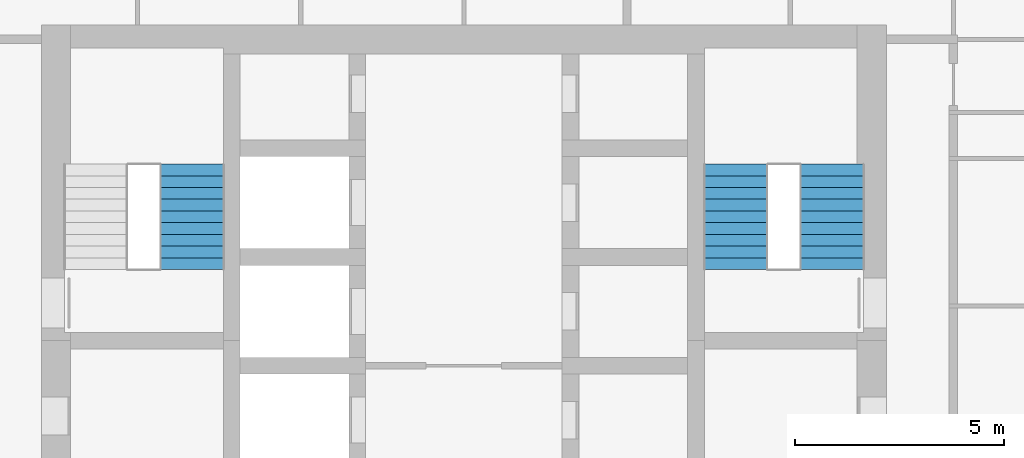
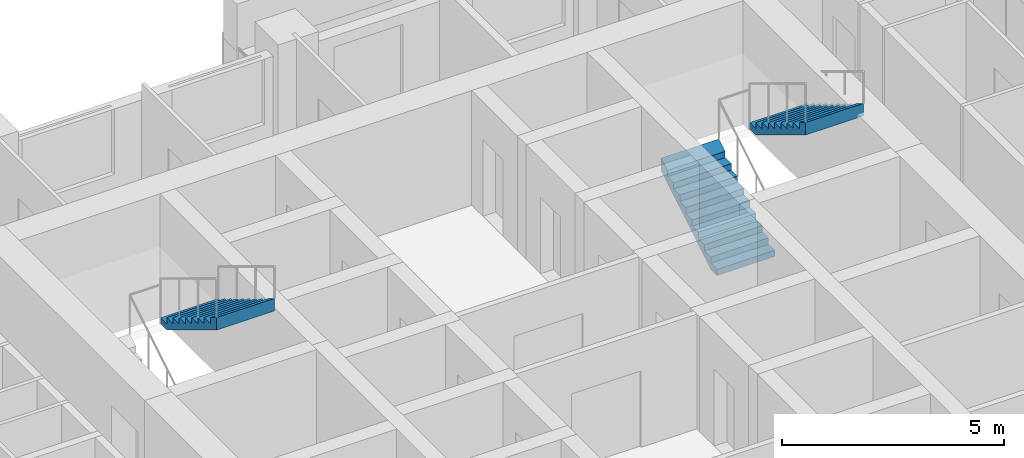
# One storey, part 16 of 18: 3 stair flights, 2 elements without a shape of their own.
"""IFC4 building model written with IfcOpenShell, lengths in metres."""

from ifc_helpers import new_model, si_unit, direction, frame, origin, place, context, subcontext, project, spatial, triangles, material, type_object, element, aggregate, save


model = new_model("IFC4")

# Units and contexts
model_context = context("Model", 3, precision=1e-05, world=origin(), true_north=direction((0.0, 1.0)))
body_context = subcontext(model_context, "Body", "Model", "MODEL_VIEW")
ifc_project = project(units=[si_unit("LENGTHUNIT", "METRE"), si_unit("AREAUNIT", "SQUARE_METRE"), si_unit("VOLUMEUNIT", "CUBIC_METRE"), si_unit("PLANEANGLEUNIT", "RADIAN"), si_unit("MASSUNIT", "GRAM", prefix="KILO")], contexts=[model_context])

# Site, building, storey
site_placement = place(None, origin())
site = spatial("IfcSite", under=ifc_project, at=site_placement, CompositionType="ELEMENT")
building_placement = place(site_placement, origin())
building = spatial("IfcBuilding", under=site, at=building_placement, Name="Ludao Terraces", CompositionType="ELEMENT")
storey_placement = place(building_placement, frame((0.0, 0.0, 33.10009765625)))
storey = spatial("IfcBuildingStorey", under=building, at=storey_placement, Name="L08", CompositionType="ELEMENT", Elevation=33.10009765625)

# Stair, stair flight
ifc_material = material(Name="Concrete C40", Category="concrete")
stair_type = type_object("IfcStairType", Name="INT Stair", PredefinedType="HALF_TURN_STAIR", material=ifc_material)
stair_1_placement = place(storey_placement, origin())
stair_1 = element("IfcStair", 1, at=stair_1_placement, inside=storey, type_object=stair_type, Name="EXIT STAIR 1", PredefinedType="HALF_TURN_STAIR")
stair_flight_type = type_object("IfcStairFlightType", Name="INT Stair flight", PredefinedType="STRAIGHT", material=ifc_material)
stair_flight_1_placement = place(storey_placement, frame((78.5, 81.52001953125, 1.699951171875), z_axis=(0.0, 0.0, 1.0), x_axis=(0.0, -1.0, 0.0)))
stair_flight_1 = element("IfcStairFlight", 2, at=stair_flight_1_placement, type_object=stair_flight_type, Name="ST1 flight 2", NumberOfRisers=10, NumberOfTreads=9, PredefinedType="STRAIGHT", RiserHeight=0.17, TreadLength=0.28, context=body_context, shape_type="Tessellation", body=[
    triangles([(0.0, -0.75, 0.0), (0.0, -0.5, 0.0), (0.0, -0.25, 0.0), (0.0, 0.0, 0.0), (0.0, 0.25, 0.0), (0.0, 0.5, 0.0), (0.0, 0.75, 0.0), (0.0, -0.75, 0.169921875), (0.0, -0.5, 0.169921875), (0.0, -0.25, 0.169921875), (0.0, 0.0, 0.169921875), (0.0, 0.25, 0.169921875), (0.0, 0.5, 0.169921875), (0.0, 0.75, 0.169921875), (0.280029296875, -0.75, 0.169921875), (0.280029296875, -0.5, 0.169921875), (0.280029296875, -0.25, 0.169921875), (0.280029296875, 0.0, 0.169921875), (0.280029296875, 0.25, 0.169921875), (0.280029296875, 0.5, 0.169921875), (0.280029296875, 0.75, 0.169921875), (0.280029296875, -0.75, 0.340087890625), (0.280029296875, -0.5, 0.340087890625), (0.280029296875, -0.25, 0.340087890625), (0.280029296875, 0.0, 0.340087890625), (0.280029296875, 0.25, 0.340087890625), (0.280029296875, 0.5, 0.340087890625), (0.280029296875, 0.75, 0.340087890625), (0.56005859375, -0.75, 0.340087890625), (0.56005859375, -0.5, 0.340087890625), (0.56005859375, -0.25, 0.340087890625), (0.56005859375, 0.0, 0.340087890625), (0.56005859375, 0.25, 0.340087890625), (0.56005859375, 0.5, 0.340087890625), (0.56005859375, 0.75, 0.340087890625), (0.56005859375, -0.75, 0.510009765625), (0.56005859375, -0.5, 0.510009765625), (0.56005859375, -0.25, 0.510009765625), (0.56005859375, 0.0, 0.510009765625), (0.56005859375, 0.25, 0.510009765625), (0.56005859375, 0.5, 0.510009765625), (0.56005859375, 0.75, 0.510009765625), (0.840087890625, -0.75, 0.510009765625), (0.840087890625, -0.5, 0.510009765625), (0.840087890625, -0.25, 0.510009765625), (0.840087890625, 0.0, 0.510009765625), (0.840087890625, 0.25, 0.510009765625), (0.840087890625, 0.5, 0.510009765625), (0.840087890625, 0.75, 0.510009765625), (0.840087890625, -0.75, 0.679931640625), (0.840087890625, -0.5, 0.679931640625), (0.840087890625, -0.25, 0.679931640625), (0.840087890625, 0.0, 0.679931640625), (0.840087890625, 0.25, 0.679931640625), (0.840087890625, 0.5, 0.679931640625), (0.840087890625, 0.75, 0.679931640625), (1.1201171875, -0.75, 0.679931640625), (1.1201171875, -0.5, 0.679931640625), (1.1201171875, -0.25, 0.679931640625), (1.1201171875, 0.0, 0.679931640625), (1.1201171875, 0.25, 0.679931640625), (1.1201171875, 0.5, 0.679931640625), (1.1201171875, 0.75, 0.679931640625), (1.1201171875, -0.75, 0.85009765625), (1.1201171875, -0.5, 0.85009765625), (1.1201171875, -0.25, 0.85009765625), (1.1201171875, 0.0, 0.85009765625), (1.1201171875, 0.25, 0.85009765625), (1.1201171875, 0.5, 0.85009765625), (1.1201171875, 0.75, 0.85009765625), (1.39990234375, -0.75, 0.85009765625), (1.39990234375, -0.5, 0.85009765625), (1.39990234375, -0.25, 0.85009765625), (1.39990234375, 0.0, 0.85009765625), (1.39990234375, 0.25, 0.85009765625), (1.39990234375, 0.5, 0.85009765625), (1.39990234375, 0.75, 0.85009765625), (1.39990234375, -0.75, 1.02001953125), (1.39990234375, -0.5, 1.02001953125), (1.39990234375, -0.25, 1.02001953125), (1.39990234375, 0.0, 1.02001953125), (1.39990234375, 0.25, 1.02001953125), (1.39990234375, 0.5, 1.02001953125), (1.39990234375, 0.75, 1.02001953125), (1.679931640625, -0.75, 1.02001953125), (1.679931640625, -0.5, 1.02001953125), (1.679931640625, -0.25, 1.02001953125), (1.679931640625, 0.0, 1.02001953125), (1.679931640625, 0.25, 1.02001953125), (1.679931640625, 0.5, 1.02001953125), (1.679931640625, 0.75, 1.02001953125), (1.679931640625, -0.75, 1.18994140625), (1.679931640625, -0.5, 1.18994140625), (1.679931640625, -0.25, 1.18994140625), (1.679931640625, 0.0, 1.18994140625), (1.679931640625, 0.25, 1.18994140625), (1.679931640625, 0.5, 1.18994140625), (1.679931640625, 0.75, 1.18994140625), (1.9599609375, -0.75, 1.18994140625), (1.9599609375, -0.5, 1.18994140625), (1.9599609375, -0.25, 1.18994140625), (1.9599609375, 0.0, 1.18994140625), (1.9599609375, 0.25, 1.18994140625), (1.9599609375, 0.5, 1.18994140625), (1.9599609375, 0.75, 1.18994140625), (1.9599609375, -0.75, 1.360107421875), (1.9599609375, -0.5, 1.360107421875), (1.9599609375, -0.25, 1.360107421875), (1.9599609375, 0.0, 1.360107421875), (1.9599609375, 0.25, 1.360107421875), (1.9599609375, 0.5, 1.360107421875), (1.9599609375, 0.75, 1.360107421875), (2.239990234375, -0.75, 1.360107421875), (2.239990234375, -0.5, 1.360107421875), (2.239990234375, -0.25, 1.360107421875), (2.239990234375, 0.0, 1.360107421875), (2.239990234375, 0.25, 1.360107421875), (2.239990234375, 0.5, 1.360107421875), (2.239990234375, 0.75, 1.360107421875), (2.239990234375, -0.75, 1.530029296875), (2.239990234375, -0.5, 1.530029296875), (2.239990234375, -0.25, 1.530029296875), (2.239990234375, 0.0, 1.530029296875), (2.239990234375, 0.25, 1.530029296875), (2.239990234375, 0.5, 1.530029296875), (2.239990234375, 0.75, 1.530029296875), (2.52001953125, -0.75, 1.699951171875), (2.52001953125, -0.5, 1.699951171875), (2.52001953125, -0.25, 1.699951171875), (2.52001953125, 0.0, 1.699951171875), (2.52001953125, 0.25, 1.699951171875), (2.52001953125, 0.5, 1.699951171875), (2.52001953125, 0.75, 1.699951171875), (2.52001953125, -0.75, 1.354736328125), (2.52001953125, -0.5, 1.354736328125), (2.52001953125, -0.25, 1.354736328125), (2.52001953125, 0.0, 1.354736328125), (2.52001953125, 0.25, 1.354736328125), (2.52001953125, 0.5, 1.354736328125), (2.52001953125, 0.75, 1.354736328125), (0.288818359375, -0.75, 0.0), (0.288818359375, -0.5, 0.0), (0.288818359375, -0.25, 0.0), (0.288818359375, 0.0, 0.0), (0.288818359375, 0.25, 0.0), (0.288818359375, 0.5, 0.0), (0.288818359375, 0.75, 0.0)], [[1, 141, 134], [7, 140, 147], [134, 127, 120], [140, 126, 133], [134, 120, 113], [140, 119, 126], [134, 113, 106], [140, 112, 119], [134, 106, 99], [140, 105, 112], [99, 92, 85], [105, 91, 98], [134, 99, 85], [140, 91, 105], [85, 78, 71], [91, 77, 84], [134, 85, 71], [140, 77, 91], [71, 64, 57], [77, 63, 70], [134, 71, 57], [140, 63, 77], [57, 50, 43], [63, 49, 56], [134, 57, 43], [140, 49, 63], [43, 36, 29], [49, 35, 42], [134, 43, 29], [140, 35, 49], [29, 22, 15], [35, 21, 28], [134, 29, 15], [140, 21, 35], [1, 134, 15], [7, 21, 140], [15, 8, 1], [21, 7, 14], [1, 9, 2], [1, 8, 9], [2, 10, 3], [2, 9, 10], [3, 11, 4], [3, 10, 11], [4, 12, 5], [4, 11, 12], [5, 13, 6], [5, 12, 13], [6, 14, 7], [6, 13, 14], [8, 16, 9], [8, 15, 16], [9, 17, 10], [9, 16, 17], [10, 18, 11], [10, 17, 18], [11, 19, 12], [11, 18, 19], [12, 20, 13], [12, 19, 20], [13, 21, 14], [13, 20, 21], [15, 23, 16], [15, 22, 23], [16, 24, 17], [16, 23, 24], [17, 25, 18], [17, 24, 25], [18, 26, 19], [18, 25, 26], [19, 27, 20], [19, 26, 27], [20, 28, 21], [20, 27, 28], [22, 30, 23], [22, 29, 30], [23, 31, 24], [23, 30, 31], [24, 32, 25], [24, 31, 32], [25, 33, 26], [25, 32, 33], [26, 34, 27], [26, 33, 34], [27, 35, 28], [27, 34, 35], [29, 37, 30], [29, 36, 37], [30, 38, 31], [30, 37, 38], [31, 39, 32], [31, 38, 39], [32, 40, 33], [32, 39, 40], [33, 41, 34], [33, 40, 41], [34, 42, 35], [34, 41, 42], [36, 44, 37], [36, 43, 44], [37, 45, 38], [37, 44, 45], [38, 46, 39], [38, 45, 46], [39, 47, 40], [39, 46, 47], [40, 48, 41], [40, 47, 48], [41, 49, 42], [41, 48, 49], [43, 51, 44], [43, 50, 51], [44, 52, 45], [44, 51, 52], [45, 53, 46], [45, 52, 53], [46, 54, 47], [46, 53, 54], [47, 55, 48], [47, 54, 55], [48, 56, 49], [48, 55, 56], [50, 58, 51], [50, 57, 58], [51, 59, 52], [51, 58, 59], [52, 60, 53], [52, 59, 60], [53, 61, 54], [53, 60, 61], [54, 62, 55], [54, 61, 62], [55, 63, 56], [55, 62, 63], [57, 65, 58], [57, 64, 65], [58, 66, 59], [58, 65, 66], [59, 67, 60], [59, 66, 67], [60, 68, 61], [60, 67, 68], [61, 69, 62], [61, 68, 69], [62, 70, 63], [62, 69, 70], [64, 72, 65], [64, 71, 72], [65, 73, 66], [65, 72, 73], [66, 74, 67], [66, 73, 74], [67, 75, 68], [67, 74, 75], [68, 76, 69], [68, 75, 76], [69, 77, 70], [69, 76, 77], [71, 79, 72], [71, 78, 79], [72, 80, 73], [72, 79, 80], [73, 81, 74], [73, 80, 81], [74, 82, 75], [74, 81, 82], [75, 83, 76], [75, 82, 83], [76, 84, 77], [76, 83, 84], [78, 86, 79], [78, 85, 86], [79, 87, 80], [79, 86, 87], [80, 88, 81], [80, 87, 88], [81, 89, 82], [81, 88, 89], [82, 90, 83], [82, 89, 90], [83, 91, 84], [83, 90, 91], [85, 93, 86], [85, 92, 93], [86, 94, 87], [86, 93, 94], [87, 95, 88], [87, 94, 95], [88, 96, 89], [88, 95, 96], [89, 97, 90], [89, 96, 97], [90, 98, 91], [90, 97, 98], [92, 100, 93], [92, 99, 100], [93, 101, 94], [93, 100, 101], [94, 102, 95], [94, 101, 102], [95, 103, 96], [95, 102, 103], [96, 104, 97], [96, 103, 104], [97, 105, 98], [97, 104, 105], [99, 107, 100], [99, 106, 107], [100, 108, 101], [100, 107, 108], [101, 109, 102], [101, 108, 109], [102, 110, 103], [102, 109, 110], [103, 111, 104], [103, 110, 111], [104, 112, 105], [104, 111, 112], [106, 114, 107], [106, 113, 114], [107, 115, 108], [107, 114, 115], [108, 116, 109], [108, 115, 116], [109, 117, 110], [109, 116, 117], [110, 118, 111], [110, 117, 118], [111, 119, 112], [111, 118, 119], [113, 121, 114], [113, 120, 121], [114, 122, 115], [114, 121, 122], [115, 123, 116], [115, 122, 123], [116, 124, 117], [116, 123, 124], [117, 125, 118], [117, 124, 125], [118, 126, 119], [118, 125, 126], [120, 128, 121], [120, 127, 128], [121, 129, 122], [121, 128, 129], [122, 130, 123], [122, 129, 130], [123, 131, 124], [123, 130, 131], [124, 132, 125], [124, 131, 132], [125, 133, 126], [125, 132, 133], [127, 135, 128], [127, 134, 135], [128, 136, 129], [128, 135, 136], [129, 137, 130], [129, 136, 137], [130, 138, 131], [130, 137, 138], [131, 139, 132], [131, 138, 139], [132, 140, 133], [132, 139, 140], [134, 142, 135], [134, 141, 142], [135, 143, 136], [135, 142, 143], [136, 144, 137], [136, 143, 144], [137, 145, 138], [137, 144, 145], [138, 146, 139], [138, 145, 146], [139, 147, 140], [139, 146, 147], [141, 2, 142], [141, 1, 2], [142, 3, 143], [142, 2, 3], [143, 4, 144], [143, 3, 4], [144, 5, 145], [144, 4, 5], [145, 6, 146], [145, 5, 6], [146, 7, 147], [146, 6, 7]], closed=True),
])
aggregate(stair_1, [stair_flight_1])

# Stair, stair flights
stair_2_placement = place(storey_placement, origin())
stair_2 = element("IfcStair", 3, at=stair_2_placement, inside=storey, type_object=stair_type, Name="EXIT STAIR 2", PredefinedType="HALF_TURN_STAIR")
stair_flight_2_placement = place(storey_placement, frame((91.5, 79.0, 0.0), z_axis=(0.0, 0.0, 1.0), x_axis=(0.0, 1.0, 0.0)))
stair_flight_2 = element("IfcStairFlight", 4, at=stair_flight_2_placement, type_object=stair_flight_type, Name="ST2 flight 1", NumberOfRisers=10, NumberOfTreads=9, PredefinedType="STRAIGHT", RiserHeight=0.17, TreadLength=0.28, context=body_context, shape_type="Tessellation", body=[
    triangles([(0.0, -0.75, 0.0), (0.0, -0.5, 0.0), (0.0, -0.25, 0.0), (0.0, 0.0, 0.0), (0.0, 0.25, 0.0), (0.0, 0.5, 0.0), (0.0, 0.75, 0.0), (0.0, -0.75, 0.169921875), (0.0, -0.5, 0.169921875), (0.0, -0.25, 0.169921875), (0.0, 0.0, 0.169921875), (0.0, 0.25, 0.169921875), (0.0, 0.5, 0.169921875), (0.0, 0.75, 0.169921875), (0.280029296875, -0.75, 0.169921875), (0.280029296875, -0.5, 0.169921875), (0.280029296875, -0.25, 0.169921875), (0.280029296875, 0.0, 0.169921875), (0.280029296875, 0.25, 0.169921875), (0.280029296875, 0.5, 0.169921875), (0.280029296875, 0.75, 0.169921875), (0.280029296875, -0.75, 0.340087890625), (0.280029296875, -0.5, 0.340087890625), (0.280029296875, -0.25, 0.340087890625), (0.280029296875, 0.0, 0.340087890625), (0.280029296875, 0.25, 0.340087890625), (0.280029296875, 0.5, 0.340087890625), (0.280029296875, 0.75, 0.340087890625), (0.56005859375, -0.75, 0.340087890625), (0.56005859375, -0.5, 0.340087890625), (0.56005859375, -0.25, 0.340087890625), (0.56005859375, 0.0, 0.340087890625), (0.56005859375, 0.25, 0.340087890625), (0.56005859375, 0.5, 0.340087890625), (0.56005859375, 0.75, 0.340087890625), (0.56005859375, -0.75, 0.510009765625), (0.56005859375, -0.5, 0.510009765625), (0.56005859375, -0.25, 0.510009765625), (0.56005859375, 0.0, 0.510009765625), (0.56005859375, 0.25, 0.510009765625), (0.56005859375, 0.5, 0.510009765625), (0.56005859375, 0.75, 0.510009765625), (0.840087890625, -0.75, 0.510009765625), (0.840087890625, -0.5, 0.510009765625), (0.840087890625, -0.25, 0.510009765625), (0.840087890625, 0.0, 0.510009765625), (0.840087890625, 0.25, 0.510009765625), (0.840087890625, 0.5, 0.510009765625), (0.840087890625, 0.75, 0.510009765625), (0.840087890625, -0.75, 0.679931640625), (0.840087890625, -0.5, 0.679931640625), (0.840087890625, -0.25, 0.679931640625), (0.840087890625, 0.0, 0.679931640625), (0.840087890625, 0.25, 0.679931640625), (0.840087890625, 0.5, 0.679931640625), (0.840087890625, 0.75, 0.679931640625), (1.1201171875, -0.75, 0.679931640625), (1.1201171875, -0.5, 0.679931640625), (1.1201171875, -0.25, 0.679931640625), (1.1201171875, 0.0, 0.679931640625), (1.1201171875, 0.25, 0.679931640625), (1.1201171875, 0.5, 0.679931640625), (1.1201171875, 0.75, 0.679931640625), (1.1201171875, -0.75, 0.85009765625), (1.1201171875, -0.5, 0.85009765625), (1.1201171875, -0.25, 0.85009765625), (1.1201171875, 0.0, 0.85009765625), (1.1201171875, 0.25, 0.85009765625), (1.1201171875, 0.5, 0.85009765625), (1.1201171875, 0.75, 0.85009765625), (1.39990234375, -0.75, 0.85009765625), (1.39990234375, -0.5, 0.85009765625), (1.39990234375, -0.25, 0.85009765625), (1.39990234375, 0.0, 0.85009765625), (1.39990234375, 0.25, 0.85009765625), (1.39990234375, 0.5, 0.85009765625), (1.39990234375, 0.75, 0.85009765625), (1.39990234375, -0.75, 1.02001953125), (1.39990234375, -0.5, 1.02001953125), (1.39990234375, -0.25, 1.02001953125), (1.39990234375, 0.0, 1.02001953125), (1.39990234375, 0.25, 1.02001953125), (1.39990234375, 0.5, 1.02001953125), (1.39990234375, 0.75, 1.02001953125), (1.679931640625, -0.75, 1.02001953125), (1.679931640625, -0.5, 1.02001953125), (1.679931640625, -0.25, 1.02001953125), (1.679931640625, 0.0, 1.02001953125), (1.679931640625, 0.25, 1.02001953125), (1.679931640625, 0.5, 1.02001953125), (1.679931640625, 0.75, 1.02001953125), (1.679931640625, -0.75, 1.18994140625), (1.679931640625, -0.5, 1.18994140625), (1.679931640625, -0.25, 1.18994140625), (1.679931640625, 0.0, 1.18994140625), (1.679931640625, 0.25, 1.18994140625), (1.679931640625, 0.5, 1.18994140625), (1.679931640625, 0.75, 1.18994140625), (1.9599609375, -0.75, 1.18994140625), (1.9599609375, -0.5, 1.18994140625), (1.9599609375, -0.25, 1.18994140625), (1.9599609375, 0.0, 1.18994140625), (1.9599609375, 0.25, 1.18994140625), (1.9599609375, 0.5, 1.18994140625), (1.9599609375, 0.75, 1.18994140625), (1.9599609375, -0.75, 1.360107421875), (1.9599609375, -0.5, 1.360107421875), (1.9599609375, -0.25, 1.360107421875), (1.9599609375, 0.0, 1.360107421875), (1.9599609375, 0.25, 1.360107421875), (1.9599609375, 0.5, 1.360107421875), (1.9599609375, 0.75, 1.360107421875), (2.239990234375, -0.75, 1.360107421875), (2.239990234375, -0.5, 1.360107421875), (2.239990234375, -0.25, 1.360107421875), (2.239990234375, 0.0, 1.360107421875), (2.239990234375, 0.25, 1.360107421875), (2.239990234375, 0.5, 1.360107421875), (2.239990234375, 0.75, 1.360107421875), (2.239990234375, -0.75, 1.530029296875), (2.239990234375, -0.5, 1.530029296875), (2.239990234375, -0.25, 1.530029296875), (2.239990234375, 0.0, 1.530029296875), (2.239990234375, 0.25, 1.530029296875), (2.239990234375, 0.5, 1.530029296875), (2.239990234375, 0.75, 1.530029296875), (2.52001953125, -0.75, 1.699951171875), (2.52001953125, -0.5, 1.699951171875), (2.52001953125, -0.25, 1.699951171875), (2.52001953125, 0.0, 1.699951171875), (2.52001953125, 0.25, 1.699951171875), (2.52001953125, 0.5, 1.699951171875), (2.52001953125, 0.75, 1.699951171875), (2.52001953125, -0.75, 1.354736328125), (2.52001953125, -0.5, 1.354736328125), (2.52001953125, -0.25, 1.354736328125), (2.52001953125, 0.0, 1.354736328125), (2.52001953125, 0.25, 1.354736328125), (2.52001953125, 0.5, 1.354736328125), (2.52001953125, 0.75, 1.354736328125), (0.288818359375, -0.75, 0.0), (0.288818359375, -0.5, 0.0), (0.288818359375, -0.25, 0.0), (0.288818359375, 0.0, 0.0), (0.288818359375, 0.25, 0.0), (0.288818359375, 0.5, 0.0), (0.288818359375, 0.75, 0.0)], [[1, 141, 134], [7, 140, 147], [134, 127, 120], [140, 126, 133], [134, 120, 113], [140, 119, 126], [134, 113, 106], [140, 112, 119], [134, 106, 99], [140, 105, 112], [99, 92, 85], [105, 91, 98], [134, 99, 85], [140, 91, 105], [85, 78, 71], [91, 77, 84], [134, 85, 71], [140, 77, 91], [71, 64, 57], [77, 63, 70], [134, 71, 57], [140, 63, 77], [57, 50, 43], [63, 49, 56], [134, 57, 43], [140, 49, 63], [43, 36, 29], [49, 35, 42], [134, 43, 29], [140, 35, 49], [29, 22, 15], [35, 21, 28], [134, 29, 15], [140, 21, 35], [1, 134, 15], [7, 21, 140], [15, 8, 1], [21, 7, 14], [1, 9, 2], [1, 8, 9], [2, 10, 3], [2, 9, 10], [3, 11, 4], [3, 10, 11], [4, 12, 5], [4, 11, 12], [5, 13, 6], [5, 12, 13], [6, 14, 7], [6, 13, 14], [8, 16, 9], [8, 15, 16], [9, 17, 10], [9, 16, 17], [10, 18, 11], [10, 17, 18], [11, 19, 12], [11, 18, 19], [12, 20, 13], [12, 19, 20], [13, 21, 14], [13, 20, 21], [15, 23, 16], [15, 22, 23], [16, 24, 17], [16, 23, 24], [17, 25, 18], [17, 24, 25], [18, 26, 19], [18, 25, 26], [19, 27, 20], [19, 26, 27], [20, 28, 21], [20, 27, 28], [22, 30, 23], [22, 29, 30], [23, 31, 24], [23, 30, 31], [24, 32, 25], [24, 31, 32], [25, 33, 26], [25, 32, 33], [26, 34, 27], [26, 33, 34], [27, 35, 28], [27, 34, 35], [29, 37, 30], [29, 36, 37], [30, 38, 31], [30, 37, 38], [31, 39, 32], [31, 38, 39], [32, 40, 33], [32, 39, 40], [33, 41, 34], [33, 40, 41], [34, 42, 35], [34, 41, 42], [36, 44, 37], [36, 43, 44], [37, 45, 38], [37, 44, 45], [38, 46, 39], [38, 45, 46], [39, 47, 40], [39, 46, 47], [40, 48, 41], [40, 47, 48], [41, 49, 42], [41, 48, 49], [43, 51, 44], [43, 50, 51], [44, 52, 45], [44, 51, 52], [45, 53, 46], [45, 52, 53], [46, 54, 47], [46, 53, 54], [47, 55, 48], [47, 54, 55], [48, 56, 49], [48, 55, 56], [50, 58, 51], [50, 57, 58], [51, 59, 52], [51, 58, 59], [52, 60, 53], [52, 59, 60], [53, 61, 54], [53, 60, 61], [54, 62, 55], [54, 61, 62], [55, 63, 56], [55, 62, 63], [57, 65, 58], [57, 64, 65], [58, 66, 59], [58, 65, 66], [59, 67, 60], [59, 66, 67], [60, 68, 61], [60, 67, 68], [61, 69, 62], [61, 68, 69], [62, 70, 63], [62, 69, 70], [64, 72, 65], [64, 71, 72], [65, 73, 66], [65, 72, 73], [66, 74, 67], [66, 73, 74], [67, 75, 68], [67, 74, 75], [68, 76, 69], [68, 75, 76], [69, 77, 70], [69, 76, 77], [71, 79, 72], [71, 78, 79], [72, 80, 73], [72, 79, 80], [73, 81, 74], [73, 80, 81], [74, 82, 75], [74, 81, 82], [75, 83, 76], [75, 82, 83], [76, 84, 77], [76, 83, 84], [78, 86, 79], [78, 85, 86], [79, 87, 80], [79, 86, 87], [80, 88, 81], [80, 87, 88], [81, 89, 82], [81, 88, 89], [82, 90, 83], [82, 89, 90], [83, 91, 84], [83, 90, 91], [85, 93, 86], [85, 92, 93], [86, 94, 87], [86, 93, 94], [87, 95, 88], [87, 94, 95], [88, 96, 89], [88, 95, 96], [89, 97, 90], [89, 96, 97], [90, 98, 91], [90, 97, 98], [92, 100, 93], [92, 99, 100], [93, 101, 94], [93, 100, 101], [94, 102, 95], [94, 101, 102], [95, 103, 96], [95, 102, 103], [96, 104, 97], [96, 103, 104], [97, 105, 98], [97, 104, 105], [99, 107, 100], [99, 106, 107], [100, 108, 101], [100, 107, 108], [101, 109, 102], [101, 108, 109], [102, 110, 103], [102, 109, 110], [103, 111, 104], [103, 110, 111], [104, 112, 105], [104, 111, 112], [106, 114, 107], [106, 113, 114], [107, 115, 108], [107, 114, 115], [108, 116, 109], [108, 115, 116], [109, 117, 110], [109, 116, 117], [110, 118, 111], [110, 117, 118], [111, 119, 112], [111, 118, 119], [113, 121, 114], [113, 120, 121], [114, 122, 115], [114, 121, 122], [115, 123, 116], [115, 122, 123], [116, 124, 117], [116, 123, 124], [117, 125, 118], [117, 124, 125], [118, 126, 119], [118, 125, 126], [120, 128, 121], [120, 127, 128], [121, 129, 122], [121, 128, 129], [122, 130, 123], [122, 129, 130], [123, 131, 124], [123, 130, 131], [124, 132, 125], [124, 131, 132], [125, 133, 126], [125, 132, 133], [127, 135, 128], [127, 134, 135], [128, 136, 129], [128, 135, 136], [129, 137, 130], [129, 136, 137], [130, 138, 131], [130, 137, 138], [131, 139, 132], [131, 138, 139], [132, 140, 133], [132, 139, 140], [134, 142, 135], [134, 141, 142], [135, 143, 136], [135, 142, 143], [136, 144, 137], [136, 143, 144], [137, 145, 138], [137, 144, 145], [138, 146, 139], [138, 145, 146], [139, 147, 140], [139, 146, 147], [141, 2, 142], [141, 1, 2], [142, 3, 143], [142, 2, 3], [143, 4, 144], [143, 3, 4], [144, 5, 145], [144, 4, 5], [145, 6, 146], [145, 5, 6], [146, 7, 147], [146, 6, 7]], closed=True),
])
stair_flight_3_placement = place(storey_placement, frame((93.800048828125, 81.52001953125, 1.699951171875), z_axis=(0.0, 0.0, 1.0), x_axis=(0.0, -1.0, 0.0)))
stair_flight_3 = element("IfcStairFlight", 5, at=stair_flight_3_placement, type_object=stair_flight_type, Name="ST2 flight 2", NumberOfRisers=10, NumberOfTreads=9, PredefinedType="STRAIGHT", RiserHeight=0.17, TreadLength=0.28, context=body_context, shape_type="Tessellation", body=[
    triangles([(0.0, -0.75, 0.0), (0.0, -0.5, 0.0), (0.0, -0.25, 0.0), (0.0, 0.0, 0.0), (0.0, 0.25, 0.0), (0.0, 0.5, 0.0), (0.0, 0.75, 0.0), (0.0, -0.75, 0.169921875), (0.0, -0.5, 0.169921875), (0.0, -0.25, 0.169921875), (0.0, 0.0, 0.169921875), (0.0, 0.25, 0.169921875), (0.0, 0.5, 0.169921875), (0.0, 0.75, 0.169921875), (0.280029296875, -0.75, 0.169921875), (0.280029296875, -0.5, 0.169921875), (0.280029296875, -0.25, 0.169921875), (0.280029296875, 0.0, 0.169921875), (0.280029296875, 0.25, 0.169921875), (0.280029296875, 0.5, 0.169921875), (0.280029296875, 0.75, 0.169921875), (0.280029296875, -0.75, 0.340087890625), (0.280029296875, -0.5, 0.340087890625), (0.280029296875, -0.25, 0.340087890625), (0.280029296875, 0.0, 0.340087890625), (0.280029296875, 0.25, 0.340087890625), (0.280029296875, 0.5, 0.340087890625), (0.280029296875, 0.75, 0.340087890625), (0.56005859375, -0.75, 0.340087890625), (0.56005859375, -0.5, 0.340087890625), (0.56005859375, -0.25, 0.340087890625), (0.56005859375, 0.0, 0.340087890625), (0.56005859375, 0.25, 0.340087890625), (0.56005859375, 0.5, 0.340087890625), (0.56005859375, 0.75, 0.340087890625), (0.56005859375, -0.75, 0.510009765625), (0.56005859375, -0.5, 0.510009765625), (0.56005859375, -0.25, 0.510009765625), (0.56005859375, 0.0, 0.510009765625), (0.56005859375, 0.25, 0.510009765625), (0.56005859375, 0.5, 0.510009765625), (0.56005859375, 0.75, 0.510009765625), (0.840087890625, -0.75, 0.510009765625), (0.840087890625, -0.5, 0.510009765625), (0.840087890625, -0.25, 0.510009765625), (0.840087890625, 0.0, 0.510009765625), (0.840087890625, 0.25, 0.510009765625), (0.840087890625, 0.5, 0.510009765625), (0.840087890625, 0.75, 0.510009765625), (0.840087890625, -0.75, 0.679931640625), (0.840087890625, -0.5, 0.679931640625), (0.840087890625, -0.25, 0.679931640625), (0.840087890625, 0.0, 0.679931640625), (0.840087890625, 0.25, 0.679931640625), (0.840087890625, 0.5, 0.679931640625), (0.840087890625, 0.75, 0.679931640625), (1.1201171875, -0.75, 0.679931640625), (1.1201171875, -0.5, 0.679931640625), (1.1201171875, -0.25, 0.679931640625), (1.1201171875, 0.0, 0.679931640625), (1.1201171875, 0.25, 0.679931640625), (1.1201171875, 0.5, 0.679931640625), (1.1201171875, 0.75, 0.679931640625), (1.1201171875, -0.75, 0.85009765625), (1.1201171875, -0.5, 0.85009765625), (1.1201171875, -0.25, 0.85009765625), (1.1201171875, 0.0, 0.85009765625), (1.1201171875, 0.25, 0.85009765625), (1.1201171875, 0.5, 0.85009765625), (1.1201171875, 0.75, 0.85009765625), (1.39990234375, -0.75, 0.85009765625), (1.39990234375, -0.5, 0.85009765625), (1.39990234375, -0.25, 0.85009765625), (1.39990234375, 0.0, 0.85009765625), (1.39990234375, 0.25, 0.85009765625), (1.39990234375, 0.5, 0.85009765625), (1.39990234375, 0.75, 0.85009765625), (1.39990234375, -0.75, 1.02001953125), (1.39990234375, -0.5, 1.02001953125), (1.39990234375, -0.25, 1.02001953125), (1.39990234375, 0.0, 1.02001953125), (1.39990234375, 0.25, 1.02001953125), (1.39990234375, 0.5, 1.02001953125), (1.39990234375, 0.75, 1.02001953125), (1.679931640625, -0.75, 1.02001953125), (1.679931640625, -0.5, 1.02001953125), (1.679931640625, -0.25, 1.02001953125), (1.679931640625, 0.0, 1.02001953125), (1.679931640625, 0.25, 1.02001953125), (1.679931640625, 0.5, 1.02001953125), (1.679931640625, 0.75, 1.02001953125), (1.679931640625, -0.75, 1.18994140625), (1.679931640625, -0.5, 1.18994140625), (1.679931640625, -0.25, 1.18994140625), (1.679931640625, 0.0, 1.18994140625), (1.679931640625, 0.25, 1.18994140625), (1.679931640625, 0.5, 1.18994140625), (1.679931640625, 0.75, 1.18994140625), (1.9599609375, -0.75, 1.18994140625), (1.9599609375, -0.5, 1.18994140625), (1.9599609375, -0.25, 1.18994140625), (1.9599609375, 0.0, 1.18994140625), (1.9599609375, 0.25, 1.18994140625), (1.9599609375, 0.5, 1.18994140625), (1.9599609375, 0.75, 1.18994140625), (1.9599609375, -0.75, 1.360107421875), (1.9599609375, -0.5, 1.360107421875), (1.9599609375, -0.25, 1.360107421875), (1.9599609375, 0.0, 1.360107421875), (1.9599609375, 0.25, 1.360107421875), (1.9599609375, 0.5, 1.360107421875), (1.9599609375, 0.75, 1.360107421875), (2.239990234375, -0.75, 1.360107421875), (2.239990234375, -0.5, 1.360107421875), (2.239990234375, -0.25, 1.360107421875), (2.239990234375, 0.0, 1.360107421875), (2.239990234375, 0.25, 1.360107421875), (2.239990234375, 0.5, 1.360107421875), (2.239990234375, 0.75, 1.360107421875), (2.239990234375, -0.75, 1.530029296875), (2.239990234375, -0.5, 1.530029296875), (2.239990234375, -0.25, 1.530029296875), (2.239990234375, 0.0, 1.530029296875), (2.239990234375, 0.25, 1.530029296875), (2.239990234375, 0.5, 1.530029296875), (2.239990234375, 0.75, 1.530029296875), (2.52001953125, -0.75, 1.699951171875), (2.52001953125, -0.5, 1.699951171875), (2.52001953125, -0.25, 1.699951171875), (2.52001953125, 0.0, 1.699951171875), (2.52001953125, 0.25, 1.699951171875), (2.52001953125, 0.5, 1.699951171875), (2.52001953125, 0.75, 1.699951171875), (2.52001953125, -0.75, 1.354736328125), (2.52001953125, -0.5, 1.354736328125), (2.52001953125, -0.25, 1.354736328125), (2.52001953125, 0.0, 1.354736328125), (2.52001953125, 0.25, 1.354736328125), (2.52001953125, 0.5, 1.354736328125), (2.52001953125, 0.75, 1.354736328125), (0.288818359375, -0.75, 0.0), (0.288818359375, -0.5, 0.0), (0.288818359375, -0.25, 0.0), (0.288818359375, 0.0, 0.0), (0.288818359375, 0.25, 0.0), (0.288818359375, 0.5, 0.0), (0.288818359375, 0.75, 0.0)], [[1, 141, 134], [7, 140, 147], [134, 127, 120], [140, 126, 133], [134, 120, 113], [140, 119, 126], [134, 113, 106], [140, 112, 119], [134, 106, 99], [140, 105, 112], [99, 92, 85], [105, 91, 98], [134, 99, 85], [140, 91, 105], [85, 78, 71], [91, 77, 84], [134, 85, 71], [140, 77, 91], [71, 64, 57], [77, 63, 70], [134, 71, 57], [140, 63, 77], [57, 50, 43], [63, 49, 56], [134, 57, 43], [140, 49, 63], [43, 36, 29], [49, 35, 42], [134, 43, 29], [140, 35, 49], [29, 22, 15], [35, 21, 28], [134, 29, 15], [140, 21, 35], [1, 134, 15], [7, 21, 140], [15, 8, 1], [21, 7, 14], [1, 9, 2], [1, 8, 9], [2, 10, 3], [2, 9, 10], [3, 11, 4], [3, 10, 11], [4, 12, 5], [4, 11, 12], [5, 13, 6], [5, 12, 13], [6, 14, 7], [6, 13, 14], [8, 16, 9], [8, 15, 16], [9, 17, 10], [9, 16, 17], [10, 18, 11], [10, 17, 18], [11, 19, 12], [11, 18, 19], [12, 20, 13], [12, 19, 20], [13, 21, 14], [13, 20, 21], [15, 23, 16], [15, 22, 23], [16, 24, 17], [16, 23, 24], [17, 25, 18], [17, 24, 25], [18, 26, 19], [18, 25, 26], [19, 27, 20], [19, 26, 27], [20, 28, 21], [20, 27, 28], [22, 30, 23], [22, 29, 30], [23, 31, 24], [23, 30, 31], [24, 32, 25], [24, 31, 32], [25, 33, 26], [25, 32, 33], [26, 34, 27], [26, 33, 34], [27, 35, 28], [27, 34, 35], [29, 37, 30], [29, 36, 37], [30, 38, 31], [30, 37, 38], [31, 39, 32], [31, 38, 39], [32, 40, 33], [32, 39, 40], [33, 41, 34], [33, 40, 41], [34, 42, 35], [34, 41, 42], [36, 44, 37], [36, 43, 44], [37, 45, 38], [37, 44, 45], [38, 46, 39], [38, 45, 46], [39, 47, 40], [39, 46, 47], [40, 48, 41], [40, 47, 48], [41, 49, 42], [41, 48, 49], [43, 51, 44], [43, 50, 51], [44, 52, 45], [44, 51, 52], [45, 53, 46], [45, 52, 53], [46, 54, 47], [46, 53, 54], [47, 55, 48], [47, 54, 55], [48, 56, 49], [48, 55, 56], [50, 58, 51], [50, 57, 58], [51, 59, 52], [51, 58, 59], [52, 60, 53], [52, 59, 60], [53, 61, 54], [53, 60, 61], [54, 62, 55], [54, 61, 62], [55, 63, 56], [55, 62, 63], [57, 65, 58], [57, 64, 65], [58, 66, 59], [58, 65, 66], [59, 67, 60], [59, 66, 67], [60, 68, 61], [60, 67, 68], [61, 69, 62], [61, 68, 69], [62, 70, 63], [62, 69, 70], [64, 72, 65], [64, 71, 72], [65, 73, 66], [65, 72, 73], [66, 74, 67], [66, 73, 74], [67, 75, 68], [67, 74, 75], [68, 76, 69], [68, 75, 76], [69, 77, 70], [69, 76, 77], [71, 79, 72], [71, 78, 79], [72, 80, 73], [72, 79, 80], [73, 81, 74], [73, 80, 81], [74, 82, 75], [74, 81, 82], [75, 83, 76], [75, 82, 83], [76, 84, 77], [76, 83, 84], [78, 86, 79], [78, 85, 86], [79, 87, 80], [79, 86, 87], [80, 88, 81], [80, 87, 88], [81, 89, 82], [81, 88, 89], [82, 90, 83], [82, 89, 90], [83, 91, 84], [83, 90, 91], [85, 93, 86], [85, 92, 93], [86, 94, 87], [86, 93, 94], [87, 95, 88], [87, 94, 95], [88, 96, 89], [88, 95, 96], [89, 97, 90], [89, 96, 97], [90, 98, 91], [90, 97, 98], [92, 100, 93], [92, 99, 100], [93, 101, 94], [93, 100, 101], [94, 102, 95], [94, 101, 102], [95, 103, 96], [95, 102, 103], [96, 104, 97], [96, 103, 104], [97, 105, 98], [97, 104, 105], [99, 107, 100], [99, 106, 107], [100, 108, 101], [100, 107, 108], [101, 109, 102], [101, 108, 109], [102, 110, 103], [102, 109, 110], [103, 111, 104], [103, 110, 111], [104, 112, 105], [104, 111, 112], [106, 114, 107], [106, 113, 114], [107, 115, 108], [107, 114, 115], [108, 116, 109], [108, 115, 116], [109, 117, 110], [109, 116, 117], [110, 118, 111], [110, 117, 118], [111, 119, 112], [111, 118, 119], [113, 121, 114], [113, 120, 121], [114, 122, 115], [114, 121, 122], [115, 123, 116], [115, 122, 123], [116, 124, 117], [116, 123, 124], [117, 125, 118], [117, 124, 125], [118, 126, 119], [118, 125, 126], [120, 128, 121], [120, 127, 128], [121, 129, 122], [121, 128, 129], [122, 130, 123], [122, 129, 130], [123, 131, 124], [123, 130, 131], [124, 132, 125], [124, 131, 132], [125, 133, 126], [125, 132, 133], [127, 135, 128], [127, 134, 135], [128, 136, 129], [128, 135, 136], [129, 137, 130], [129, 136, 137], [130, 138, 131], [130, 137, 138], [131, 139, 132], [131, 138, 139], [132, 140, 133], [132, 139, 140], [134, 142, 135], [134, 141, 142], [135, 143, 136], [135, 142, 143], [136, 144, 137], [136, 143, 144], [137, 145, 138], [137, 144, 145], [138, 146, 139], [138, 145, 146], [139, 147, 140], [139, 146, 147], [141, 2, 142], [141, 1, 2], [142, 3, 143], [142, 2, 3], [143, 4, 144], [143, 3, 4], [144, 5, 145], [144, 4, 5], [145, 6, 146], [145, 5, 6], [146, 7, 147], [146, 6, 7]], closed=True),
])
aggregate(stair_2, [stair_flight_2, stair_flight_3])

save(model, "model.ifc")
